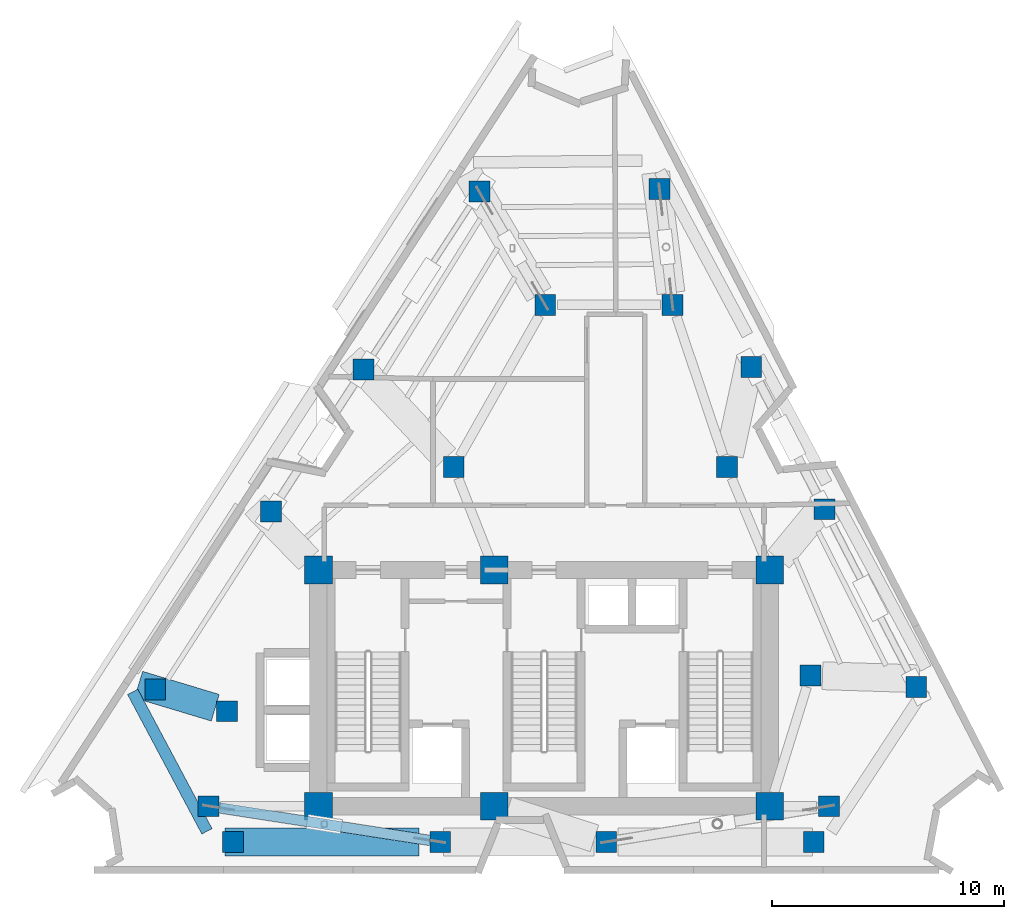
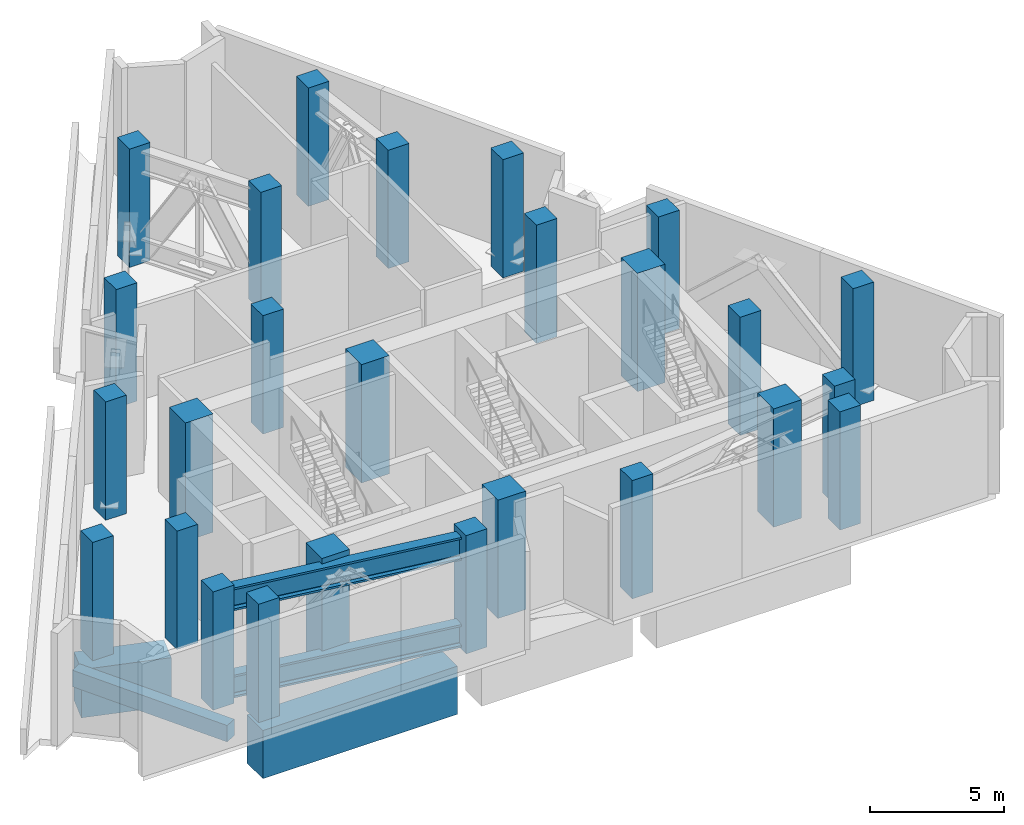
# One storey, part 1 of 8: 26 columns, 5 beams.
"""IFC4 building model written with IfcOpenShell, lengths in metres."""

from ifc_helpers import new_model, si_unit, direction, frame, origin, origin_2d, place, context, subcontext, project, spatial, rectangle, i_section, extrude, material, material_profile, profile_set, type_object, element, save


model = new_model("IFC4")

# Units and contexts
model_context = context("Model", 3, precision=1e-05, world=origin(), true_north=direction((0.0, 1.0)))
body_context = subcontext(model_context, "Body", "Model", "MODEL_VIEW")
ifc_project = project(units=[si_unit("LENGTHUNIT", "METRE"), si_unit("AREAUNIT", "SQUARE_METRE"), si_unit("VOLUMEUNIT", "CUBIC_METRE"), si_unit("PLANEANGLEUNIT", "RADIAN"), si_unit("MASSUNIT", "GRAM", prefix="KILO")], contexts=[model_context])

# Site, building, storey
site_placement = place(None, origin())
site = spatial("IfcSite", under=ifc_project, at=site_placement, CompositionType="ELEMENT")
building_placement = place(site_placement, origin())
building = spatial("IfcBuilding", under=site, at=building_placement, Name="Almagre Mirador Tower", CompositionType="ELEMENT")
storey_placement = place(building_placement, frame((0.0, 0.0, 201.60009765625)))
storey = spatial("IfcBuildingStorey", under=building, at=storey_placement, Name="L52", CompositionType="ELEMENT", Elevation=201.60009765625)

# Columns
ifc_material_1 = material(Name="Concrete C60/75", Category="concrete")
ifc_material_profile_1 = material_profile(ifc_material_1, rectangle(XDim=1.199951171875, YDim=1.199951171875, at=origin_2d()), Name="RC1200X1200")
ifc_profile_set_1 = profile_set([ifc_material_profile_1], Name="Concrete C60/75")
column_type_1 = type_object("IfcColumnType", Name="COL-RC1200", PredefinedType="COLUMN", material=ifc_profile_set_1)
for number, where, z_axis, x_axis, name in (
    (1, (27.550048828125, 4.550048828125, 0.0), (0.0, 0.0, 1.0), (1.0, 0.0, 0.0), "L52 core spine column CC1"),
    (2, (35.14990234375, 4.550048828125, 0.0), (0.0, 0.0, 1.0), (1.0, 0.0, 0.0), "L52 core spine column CC2"),
    (3, (47.050048828125, 4.550048828125, 0.0), (0.0, 0.0, 1.0), (1.0, 0.0, 0.0), "L52 core spine column CC3"),
    (4, (27.550048828125, 14.75, 0.0), (0.0, 0.0, 1.0), (1.0, 0.0, 0.0), "L52 core spine column CC4"),
    (5, (35.14990234375, 14.75, 0.0), (0.0, 0.0, 1.0), (1.0, 0.0, 0.0), "L52 core spine column CC5"),
    (6, (47.050048828125, 14.75, 0.0), (0.0, 0.0, 1.0), (1.0, 0.0, 0.0), "L52 core spine column CC6"),
):
    element("IfcColumn", number, at=place(storey_placement, frame(where, z_axis=z_axis, x_axis=x_axis)), inside=storey, type_object=column_type_1, Name=name, PredefinedType="COLUMN", context=body_context, shape_type="SweptSolid", body=[
        extrude(rectangle(XDim=1.199951171875, YDim=1.199951171875, at=origin_2d()), origin(), (0.0, 0.0, 1.0), 5.39990234375),
    ])
ifc_material_2 = material(Name="Concrete C60/75", Category="concrete")
ifc_material_profile_2 = material_profile(ifc_material_2, rectangle(XDim=0.89990234375, YDim=0.89990234375, at=origin_2d()), Name="RC900X900")
ifc_profile_set_2 = profile_set([ifc_material_profile_2], Name="Concrete C60/75")
column_type_2 = type_object("IfcColumnType", Name="COL-RC900", PredefinedType="COLUMN", material=ifc_profile_set_2)
for number, where, z_axis, x_axis, name in (
    (7, (22.800048828125, 4.550048828125, 0.0), (0.0, 0.0, 1.0), (1.0, 0.0, 0.0), "L52 interior transfer column MC1"),
    (8, (49.60009765625, 4.550048828125, 0.0), (0.0, 0.0, 1.0), (1.0, 0.0, 0.0), "L52 interior transfer column MC2"),
    (9, (48.800048828125, 10.199951171875, 0.0), (0.0, 0.0, 1.0), (1.0, 0.0, 0.0), "L52 interior transfer column MC3"),
    (10, (45.199951171875, 19.199951171875, 0.0), (0.0, 0.0, 1.0), (1.0, 0.0, 0.0), "L52 interior transfer column MC5"),
    (11, (42.85009765625, 26.199951171875, 0.0), (0.0, 0.0, 1.0), (1.0, 0.0, 0.0), "L52 interior transfer column MC6"),
    (12, (37.35009765625, 26.199951171875, 0.0), (0.0, 0.0, 1.0), (1.0, 0.0, 0.0), "L52 interior transfer column MC7"),
    (13, (33.39990234375, 19.199951171875, 0.0), (0.0, 0.0, 1.0), (1.0, 0.0, 0.0), "L52 interior transfer column MC8"),
    (14, (23.60009765625, 8.64990234375, 0.0), (0.0, 0.0, 1.0), (1.0, 0.0, 0.0), "L52 interior transfer column MC10"),
    (15, (23.85595703125, 3.0, 0.0), (0.0, 0.0, 1.0), (1.0, 0.0, 0.0), "L52 perimeter column PC01"),
    (16, (32.81591796875, 3.0, 0.0), (0.0, 0.0, 1.0), (1.0, 0.0, 0.0), "L52 perimeter column PC02"),
    (17, (39.98388671875, 3.0, 0.0), (0.0, 0.0, 1.0), (1.0, 0.0, 0.0), "L52 perimeter column PC03"),
    (18, (48.944091796875, 3.0, 0.0), (0.0, 0.0, 1.0), (1.0, 0.0, 0.0), "L52 perimeter column PC04"),
    (19, (53.376953125, 9.697998046875, 0.0), (0.0, 0.0, 1.0), (1.0, 0.0, 0.0), "L52 perimeter column PC05"),
    (20, (49.4169921875, 17.3779296875, 0.0), (0.0, 0.0, 1.0), (1.0, 0.0, 0.0), "L52 perimeter column PC06"),
    (21, (46.2490234375, 23.52197265625, 0.0), (0.0, 0.0, 1.0), (1.0, 0.0, 0.0), "L52 perimeter column PC07"),
    (22, (42.2890625, 31.201904296875, 0.0), (0.0, 0.0, 1.0), (1.0, 0.0, 0.0), "L52 perimeter column PC08"),
    (23, (34.506103515625, 31.096923828125, 0.0), (0.0, 0.0, 1.0), (1.0, 0.0, 0.0), "L52 perimeter column PC09"),
    (24, (29.506103515625, 23.4169921875, 0.0), (0.0, 0.0, 1.0), (1.0, 0.0, 0.0), "L52 perimeter column PC10"),
    (25, (25.506103515625, 17.27294921875, 0.0), (0.0, 0.0, 1.0), (1.0, 0.0, 0.0), "L52 perimeter column PC11"),
    (26, (20.506103515625, 9.593017578125, 0.0), (0.0, 0.0, 1.0), (1.0, 0.0, 0.0), "L52 perimeter column PC12"),
):
    element("IfcColumn", number, at=place(storey_placement, frame(where, z_axis=z_axis, x_axis=x_axis)), inside=storey, type_object=column_type_2, Name=name, PredefinedType="COLUMN", context=body_context, shape_type="SweptSolid", body=[
        extrude(rectangle(XDim=0.89990234375, YDim=0.89990234375, at=origin_2d()), origin(), (0.0, 0.0, 1.0), 5.39990234375),
    ])

# Beams
ifc_material_3 = material(Name="Precast concrete C50/60", Category="concrete")
ifc_material_profile_3 = material_profile(ifc_material_3, rectangle(XDim=0.5, YDim=0.75, at=origin_2d()), Name="RC500X750")
ifc_profile_set_3 = profile_set([ifc_material_profile_3], Name="Precast concrete C50/60")
beam_type_1 = type_object("IfcBeamType", Name="BM-SPN-RC500X750", PredefinedType="SPANDREL", material=ifc_profile_set_3)
beam_1_placement = place(storey_placement, frame((19.53076171875, 9.486572265625, -0.675048828125), z_axis=(0.469923278173, -0.882707263271, 0.0), x_axis=(0.882707263271, 0.469923278173, 0.0)))
element("IfcBeam", 27, at=beam_1_placement, inside=storey, type_object=beam_type_1, Name="L52 perimeter spandrel beam PC12-PC01", PredefinedType="SPANDREL", context=body_context, shape_type="SweptSolid", body=[
    extrude(rectangle(XDim=0.5, YDim=0.75, at=origin_2d()), origin(), (0.0, 0.0, 1.0), 6.823486328125),
])
ifc_material_4 = material(Name="Steel ASTM A913 Grade 65", Category="steel")
ifc_material_profile_4 = material_profile(ifc_material_4, i_section(OverallWidth=0.446044921875, OverallDepth=1.0439453125, WebThickness=0.050048828125, FlangeThickness=0.08984375, FilletRadius=0.028076171875, at=origin_2d()), Name="W36X652")
ifc_profile_set_4 = profile_set([ifc_material_profile_4], Name="Steel ASTM A913 Grade 65")
beam_type_2 = type_object("IfcBeamType", Name="BM-STL-W36X652", PredefinedType="BEAM", material=ifc_profile_set_4)
for number, where, z_axis, x_axis, name in (
    (28, (32.371337890625, 3.06884765625, 0.64990234375), (-0.988237149101, 0.152929189941, 0.0), (-0.152929189941, -0.988237149101, 0.0), "L52 outrigger truss 1 bottom chord"),
    (29, (32.371337890625, 3.06884765625, 4.6279296875), (-0.988237149101, 0.152929189941, 0.0), (-0.152929189941, -0.988237149101, 0.0), "L52 outrigger truss 1 top chord"),
):
    element("IfcBeam", number, at=place(storey_placement, frame(where, z_axis=z_axis, x_axis=x_axis)), inside=storey, type_object=beam_type_2, Name=name, PredefinedType="BEAM", context=body_context, shape_type="SweptSolid", body=[
        extrude(i_section(OverallWidth=0.446044921875, OverallDepth=1.0439453125, WebThickness=0.050048828125, FlangeThickness=0.08984375, FilletRadius=0.028076171875, at=origin_2d()), origin(), (0.0, 0.0, 1.0), 9.2353515625),
    ])
ifc_material_5 = material(Name="Concrete C60/75", Category="concrete")
ifc_material_profile_5 = material_profile(ifc_material_5, rectangle(XDim=1.199951171875, YDim=2.199951171875, at=origin_2d()), Name="RC1200X2200")
ifc_profile_set_5 = profile_set([ifc_material_profile_5], Name="Concrete C60/75")
beam_type_3 = type_object("IfcBeamType", Name="BM-XFER-RC1200X2200", PredefinedType="BEAM", material=ifc_profile_set_5)
beam_2_placement = place(storey_placement, frame((23.509033203125, 3.0, -1.400146484375), z_axis=(1.0, 0.0, 0.0), x_axis=(0.0, 1.0, 0.0)))
element("IfcBeam", 30, at=beam_2_placement, inside=storey, type_object=beam_type_3, Name="L52 perimeter spandrel beam PC01-PC02", PredefinedType="BEAM", context=body_context, shape_type="SweptSolid", body=[
    extrude(rectangle(XDim=1.199951171875, YDim=2.199951171875, at=origin_2d()), origin(), (0.0, 0.0, 1.0), 8.389892578125),
])
beam_3_placement = place(storey_placement, frame((19.78662109375, 9.798583984375, -1.400146484375), z_axis=(0.957520639222, -0.288364743794, 0.0), x_axis=(0.288364743794, 0.957520639222, 0.0)))
element("IfcBeam", 31, at=beam_3_placement, inside=storey, type_object=beam_type_3, Name="L52 radial transfer girder PC12-MC10", PredefinedType="BEAM", context=body_context, shape_type="SweptSolid", body=[
    extrude(rectangle(XDim=1.199951171875, YDim=2.199951171875, at=origin_2d()), origin(), (0.0, 0.0, 1.0), 3.457763671875),
])

save(model, "model.ifc")
